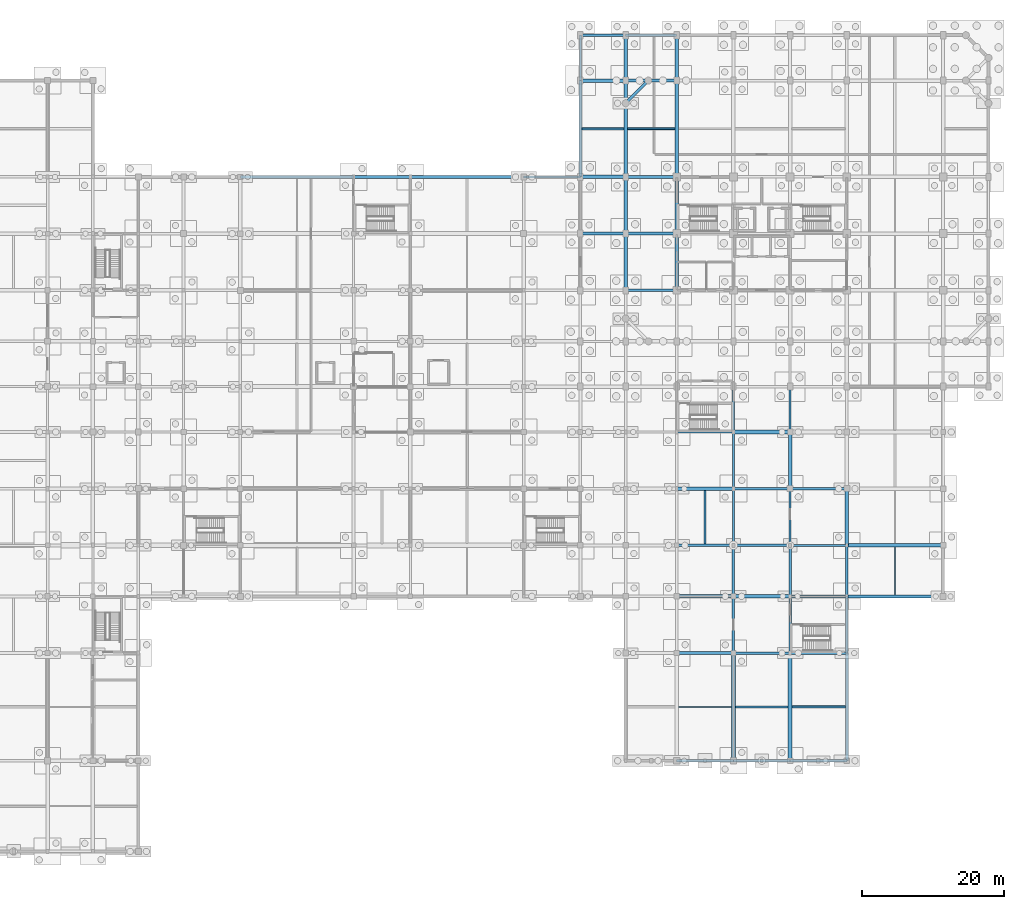
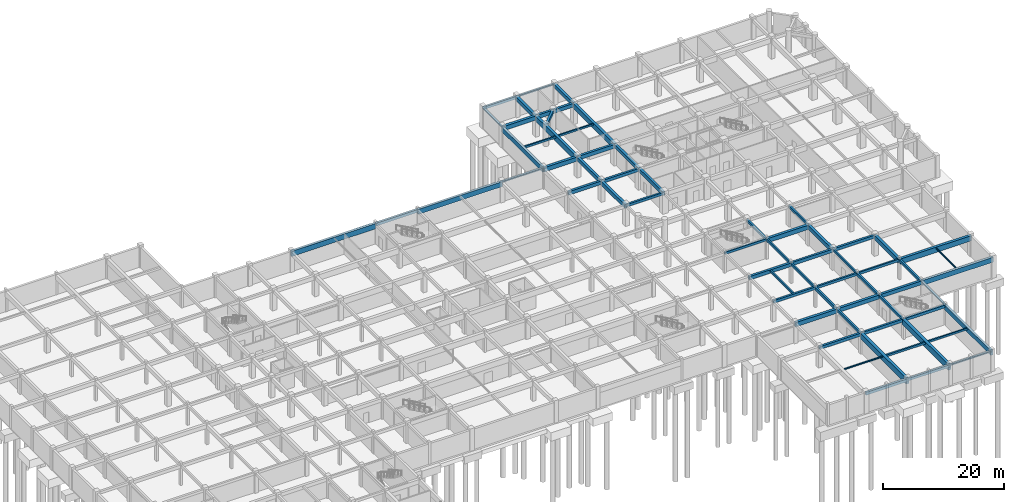
# One storey, part 14 of 28: 66 beams.
"""IFC4 building model written with IfcOpenShell, lengths in metres."""

from ifc_helpers import new_model, si_unit, direction, frame, origin, origin_2d, place, context, subcontext, project, spatial, rectangle, i_section, extrude, material, material_profile, profile_set, type_object, element, save


model = new_model("IFC4")

# Units and contexts
model_context = context("Model", 3, precision=1e-05, world=origin(), true_north=direction((0.0, 1.0)))
body_context = subcontext(model_context, "Body", "Model", "MODEL_VIEW")
ifc_project = project(units=[si_unit("LENGTHUNIT", "METRE"), si_unit("AREAUNIT", "SQUARE_METRE"), si_unit("VOLUMEUNIT", "CUBIC_METRE"), si_unit("PLANEANGLEUNIT", "RADIAN"), si_unit("MASSUNIT", "GRAM", prefix="KILO")], contexts=[model_context])

# Site, building, storey
site_placement = place(None, origin())
site = spatial("IfcSite", under=ifc_project, at=site_placement, CompositionType="ELEMENT")
building_placement = place(site_placement, origin())
building = spatial("IfcBuilding", under=site, at=building_placement, Name="Vellmiral Cinema and Media Centre", CompositionType="ELEMENT")
storey_placement = place(building_placement, frame((0.0, 0.0, -4.5)))
storey = spatial("IfcBuildingStorey", under=building, at=storey_placement, Name="B1", CompositionType="ELEMENT", Elevation=-4.5)

# Beams
ifc_material_1 = material(Name="Concrete C40/50", Category="concrete")
ifc_material_profile_1 = material_profile(ifc_material_1, rectangle(XDim=0.300048828125, YDim=0.449951171875, at=origin_2d()), Name="RC 300x450")
ifc_profile_set_1 = profile_set([ifc_material_profile_1], Name="Concrete C40/50")
beam_type_1 = type_object("IfcBeamType", Name="BM-RC-300x450", PredefinedType="BEAM", material=ifc_profile_set_1)
for number, where, z_axis, x_axis, name in (
    (1, (124.0, 59.199951171875, 3.85009765625), (1.0, 0.0, 0.0), (0.0, 1.0, 0.0), "Grid Beam B1-X094"),
    (2, (132.0, 51.199951171875, 3.85009765625), (0.0, 1.0, 0.0), (-1.0, 0.0, 0.0), "Grid Beam B1-Y369"),
    (3, (140.0, 43.199951171875, 3.85009765625), (0.0, 1.0, 0.0), (-1.0, 0.0, 0.0), "Grid Beam B1-Y380"),
):
    element("IfcBeam", number, at=place(storey_placement, frame(where, z_axis=z_axis, x_axis=x_axis)), inside=storey, type_object=beam_type_1, Name=name, PredefinedType="BEAM", context=body_context, shape_type="SweptSolid", body=[
        extrude(rectangle(XDim=0.300048828125, YDim=0.449951171875, at=origin_2d()), origin(), (0.0, 0.0, 1.0), 8.0),
    ])
ifc_material_2 = material(Name="Concrete C40/50", Category="concrete")
ifc_material_profile_2 = material_profile(ifc_material_2, rectangle(XDim=0.300048828125, YDim=0.5, at=origin_2d()), Name="RC 300x500")
ifc_profile_set_2 = profile_set([ifc_material_profile_2], Name="Concrete C40/50")
beam_type_2 = type_object("IfcBeamType", Name="BM-RC-300x500", PredefinedType="BEAM", material=ifc_profile_set_2)
for number, where, z_axis, x_axis, name in (
    (4, (140.0, 43.199951171875, 3.824951171875), (1.0, 0.0, 0.0), (0.0, 1.0, 0.0), "Grid Beam B1-X060"),
    (5, (132.0, 43.199951171875, 3.824951171875), (0.0, 1.0, 0.0), (-1.0, 0.0, 0.0), "Grid Beam B1-Y368"),
):
    element("IfcBeam", number, at=place(storey_placement, frame(where, z_axis=z_axis, x_axis=x_axis)), inside=storey, type_object=beam_type_2, Name=name, PredefinedType="BEAM", context=body_context, shape_type="SweptSolid", body=[
        extrude(rectangle(XDim=0.300048828125, YDim=0.5, at=origin_2d()), origin(), (0.0, 0.0, 1.0), 8.0),
    ])
beam_1_placement = place(storey_placement, frame((140.0, 59.199951171875, 3.824951171875), z_axis=(0.0, 1.0, 0.0), x_axis=(-1.0, 0.0, 0.0)))
element("IfcBeam", 6, at=beam_1_placement, inside=storey, type_object=beam_type_2, Name="Grid Beam B1-Y382", PredefinedType="BEAM", context=body_context, shape_type="SweptSolid", body=[
    extrude(rectangle(XDim=0.300048828125, YDim=0.5, at=origin_2d()), origin(), (0.0, 0.0, 1.0), 6.400146484375),
])
ifc_material_3 = material(Name="Concrete C40/50", Category="concrete")
ifc_material_profile_3 = material_profile(ifc_material_3, rectangle(XDim=0.35009765625, YDim=0.5, at=origin_2d()), Name="RC 350x500")
ifc_profile_set_3 = profile_set([ifc_material_profile_3], Name="Concrete C40/50")
beam_type_3 = type_object("IfcBeamType", Name="BM-RC-350x500", PredefinedType="BEAM", material=ifc_profile_set_3)
beam_2_placement = place(storey_placement, frame((132.0, 43.199951171875, 3.824951171875), z_axis=(1.0, 0.0, 0.0), x_axis=(0.0, 1.0, 0.0)))
element("IfcBeam", 7, at=beam_2_placement, inside=storey, type_object=beam_type_3, Name="Grid Beam B1-X059", PredefinedType="BEAM", context=body_context, shape_type="SweptSolid", body=[
    extrude(rectangle(XDim=0.35009765625, YDim=0.5, at=origin_2d()), origin(), (0.0, 0.0, 1.0), 8.0),
])
beam_3_placement = place(storey_placement, frame((116.800048828125, 79.199951171875, 3.824951171875), z_axis=(1.0, 0.0, 0.0), x_axis=(0.0, 1.0, 0.0)))
element("IfcBeam", 8, at=beam_3_placement, inside=storey, type_object=beam_type_3, Name="Grid Beam B1-X149", PredefinedType="BEAM", context=body_context, shape_type="SweptSolid", body=[
    extrude(rectangle(XDim=0.35009765625, YDim=0.5, at=origin_2d()), origin(), (0.0, 0.0, 1.0), 7.199951171875),
])
beam_4_placement = place(storey_placement, frame((132.0, 59.199951171875, 3.824951171875), z_axis=(0.0, 1.0, 0.0), x_axis=(-1.0, 0.0, 0.0)))
element("IfcBeam", 9, at=beam_4_placement, inside=storey, type_object=beam_type_3, Name="Grid Beam B1-Y370", PredefinedType="BEAM", context=body_context, shape_type="SweptSolid", body=[
    extrude(rectangle(XDim=0.35009765625, YDim=0.5, at=origin_2d()), origin(), (0.0, 0.0, 1.0), 6.400146484375),
])
beam_5_placement = place(storey_placement, frame((140.0, 28.0, 3.824951171875), z_axis=(0.0, 1.0, 0.0), x_axis=(-1.0, 0.0, 0.0)))
element("IfcBeam", 10, at=beam_5_placement, inside=storey, type_object=beam_type_3, Name="Grid Beam B1-Y378", PredefinedType="BEAM", context=body_context, shape_type="SweptSolid", body=[
    extrude(rectangle(XDim=0.35009765625, YDim=0.5, at=origin_2d()), origin(), (0.0, 0.0, 1.0), 8.0),
])
beam_6_placement = place(storey_placement, frame((148.0, 36.0, 3.824951171875), z_axis=(0.0, 1.0, 0.0), x_axis=(-1.0, 0.0, 0.0)))
element("IfcBeam", 11, at=beam_6_placement, inside=storey, type_object=beam_type_3, Name="Grid Beam B1-Y391", PredefinedType="BEAM", context=body_context, shape_type="SweptSolid", body=[
    extrude(rectangle(XDim=0.35009765625, YDim=0.5, at=origin_2d()), origin(), (0.0, 0.0, 1.0), 7.199951171875),
])
ifc_material_4 = material(Name="Concrete C40/50", Category="concrete")
ifc_material_profile_4 = material_profile(ifc_material_4, rectangle(XDim=0.35009765625, YDim=0.550048828125, at=origin_2d()), Name="RC 350x550")
ifc_profile_set_4 = profile_set([ifc_material_profile_4], Name="Concrete C40/50")
beam_type_4 = type_object("IfcBeamType", Name="BM-RC-350x550", PredefinedType="BEAM", material=ifc_profile_set_4)
for number, where, z_axis, x_axis, name in (
    (12, (140.0, 28.0, 3.800048828125), (1.0, 0.0, 0.0), (0.0, 1.0, 0.0), "Grid Beam B1-X025"),
    (13, (124.0, 43.199951171875, 3.800048828125), (1.0, 0.0, 0.0), (0.0, 1.0, 0.0), "Grid Beam B1-X058"),
    (14, (132.0, 28.0, 3.800048828125), (0.0, 1.0, 0.0), (-1.0, 0.0, 0.0), "Grid Beam B1-Y366"),
):
    element("IfcBeam", number, at=place(storey_placement, frame(where, z_axis=z_axis, x_axis=x_axis)), inside=storey, type_object=beam_type_4, Name=name, PredefinedType="BEAM", context=body_context, shape_type="SweptSolid", body=[
        extrude(rectangle(XDim=0.35009765625, YDim=0.550048828125, at=origin_2d()), origin(), (0.0, 0.0, 1.0), 8.0),
    ])
beam_7_placement = place(storey_placement, frame((140.0, 36.0, 3.800048828125), z_axis=(0.0, 1.0, 0.0), x_axis=(-1.0, 0.0, 0.0)))
element("IfcBeam", 15, at=beam_7_placement, inside=storey, type_object=beam_type_4, Name="Grid Beam B1-Y379", PredefinedType="BEAM", context=body_context, shape_type="SweptSolid", body=[
    extrude(rectangle(XDim=0.35009765625, YDim=0.550048828125, at=origin_2d()), origin(), (0.0, 0.0, 1.0), 7.199951171875),
])
ifc_material_5 = material(Name="Concrete C40/50", Category="concrete")
ifc_material_profile_5 = material_profile(ifc_material_5, rectangle(XDim=0.35009765625, YDim=0.60009765625, at=origin_2d()), Name="RC 350x600")
ifc_profile_set_5 = profile_set([ifc_material_profile_5], Name="Concrete C40/50")
beam_type_5 = type_object("IfcBeamType", Name="BM-RC-350x600", PredefinedType="BEAM", material=ifc_profile_set_5)
beam_8_placement = place(storey_placement, frame((132.0, 28.0, 3.77490234375), z_axis=(1.0, 0.0, 0.0), x_axis=(0.0, 1.0, 0.0)))
element("IfcBeam", 16, at=beam_8_placement, inside=storey, type_object=beam_type_5, Name="Grid Beam B1-X024", PredefinedType="BEAM", context=body_context, shape_type="SweptSolid", body=[
    extrude(rectangle(XDim=0.35009765625, YDim=0.60009765625, at=origin_2d()), origin(), (0.0, 0.0, 1.0), 8.0),
])
beam_9_placement = place(storey_placement, frame((132.0, 36.0, 3.77490234375), z_axis=(0.0, 1.0, 0.0), x_axis=(-1.0, 0.0, 0.0)))
element("IfcBeam", 17, at=beam_9_placement, inside=storey, type_object=beam_type_5, Name="Grid Beam B1-Y367", PredefinedType="BEAM", context=body_context, shape_type="SweptSolid", body=[
    extrude(rectangle(XDim=0.35009765625, YDim=0.60009765625, at=origin_2d()), origin(), (0.0, 0.0, 1.0), 7.199951171875),
])
ifc_material_6 = material(Name="Concrete C40/50", Category="concrete")
ifc_material_profile_6 = material_profile(ifc_material_6, rectangle(XDim=0.39990234375, YDim=0.60009765625, at=origin_2d()), Name="RC 400x600")
ifc_profile_set_6 = profile_set([ifc_material_profile_6], Name="Concrete C40/50")
beam_type_6 = type_object("IfcBeamType", Name="BM-RC-400x600", PredefinedType="BEAM", material=ifc_profile_set_6)
for number, where, z_axis, x_axis, name in (
    (18, (124.0, 28.0, 3.77490234375), (1.0, 0.0, 0.0), (0.0, 1.0, 0.0), "Grid Beam B1-X023"),
    (19, (140.0, 51.199951171875, 3.77490234375), (1.0, 0.0, 0.0), (0.0, 1.0, 0.0), "Grid Beam B1-X078"),
):
    element("IfcBeam", number, at=place(storey_placement, frame(where, z_axis=z_axis, x_axis=x_axis)), inside=storey, type_object=beam_type_6, Name=name, PredefinedType="BEAM", context=body_context, shape_type="SweptSolid", body=[
        extrude(rectangle(XDim=0.39990234375, YDim=0.60009765625, at=origin_2d()), origin(), (0.0, 0.0, 1.0), 8.0),
    ])
beam_10_placement = place(storey_placement, frame((116.800048828125, 87.199951171875, 3.77490234375), z_axis=(1.0, 0.0, 0.0), x_axis=(0.0, 1.0, 0.0)))
element("IfcBeam", 20, at=beam_10_placement, inside=storey, type_object=beam_type_6, Name="Grid Beam B1-X168", PredefinedType="BEAM", context=body_context, shape_type="SweptSolid", body=[
    extrude(rectangle(XDim=0.39990234375, YDim=0.60009765625, at=origin_2d()), origin(), (0.0, 0.0, 1.0), 7.199951171875),
])
ifc_material_7 = material(Name="Concrete C40/50", Category="concrete")
ifc_material_profile_7 = material_profile(ifc_material_7, rectangle(XDim=0.39990234375, YDim=0.64990234375, at=origin_2d()), Name="RC 400x650")
ifc_profile_set_7 = profile_set([ifc_material_profile_7], Name="Concrete C40/50")
beam_type_7 = type_object("IfcBeamType", Name="BM-RC-400x650", PredefinedType="BEAM", material=ifc_profile_set_7)
beam_11_placement = place(storey_placement, frame((132.0, 51.199951171875, 3.75), z_axis=(1.0, 0.0, 0.0), x_axis=(0.0, 1.0, 0.0)))
element("IfcBeam", 21, at=beam_11_placement, inside=storey, type_object=beam_type_7, Name="Grid Beam B1-X077", PredefinedType="BEAM", context=body_context, shape_type="SweptSolid", body=[
    extrude(rectangle(XDim=0.39990234375, YDim=0.64990234375, at=origin_2d()), origin(), (0.0, 0.0, 1.0), 8.0),
])
ifc_material_8 = material(Name="Concrete C40/50", Category="concrete")
ifc_material_profile_8 = material_profile(ifc_material_8, rectangle(XDim=0.449951171875, YDim=0.699951171875, at=origin_2d()), Name="RC 450x700")
ifc_profile_set_8 = profile_set([ifc_material_profile_8], Name="Concrete C40/50")
beam_type_8 = type_object("IfcBeamType", Name="BM-RC-450x700", PredefinedType="BEAM", material=ifc_profile_set_8)
beam_12_placement = place(storey_placement, frame((124.0, 51.199951171875, 3.72509765625), z_axis=(1.0, 0.0, 0.0), x_axis=(0.0, 1.0, 0.0)))
element("IfcBeam", 22, at=beam_12_placement, inside=storey, type_object=beam_type_8, Name="Grid Beam B1-X076", PredefinedType="BEAM", context=body_context, shape_type="SweptSolid", body=[
    extrude(rectangle(XDim=0.449951171875, YDim=0.699951171875, at=origin_2d()), origin(), (0.0, 0.0, 1.0), 8.0),
])
beam_13_placement = place(storey_placement, frame((110.39990234375, 87.199951171875, 3.72509765625), z_axis=(1.0, 0.0, 0.0), x_axis=(0.0, 1.0, 0.0)))
element("IfcBeam", 23, at=beam_13_placement, inside=storey, type_object=beam_type_8, Name="Grid Beam B1-X167", PredefinedType="BEAM", context=body_context, shape_type="SweptSolid", body=[
    extrude(rectangle(XDim=0.449951171875, YDim=0.699951171875, at=origin_2d()), origin(), (0.0, 0.0, 1.0), 6.400146484375),
])
beam_14_placement = place(storey_placement, frame((124.0, 87.199951171875, 3.72509765625), z_axis=(0.0, 1.0, 0.0), x_axis=(-1.0, 0.0, 0.0)))
element("IfcBeam", 24, at=beam_14_placement, inside=storey, type_object=beam_type_8, Name="Grid Beam B1-Y362", PredefinedType="BEAM", context=body_context, shape_type="SweptSolid", body=[
    extrude(rectangle(XDim=0.449951171875, YDim=0.699951171875, at=origin_2d()), origin(), (0.0, 0.0, 1.0), 8.0),
])
ifc_material_9 = material(Name="Concrete C40/50", Category="concrete")
ifc_material_profile_9 = material_profile(ifc_material_9, rectangle(XDim=0.449951171875, YDim=0.75, at=origin_2d()), Name="RC 450x750")
ifc_profile_set_9 = profile_set([ifc_material_profile_9], Name="Concrete C40/50")
beam_type_9 = type_object("IfcBeamType", Name="BM-RC-450x750", PredefinedType="BEAM", material=ifc_profile_set_9)
beam_15_placement = place(storey_placement, frame((140.0, 36.0, 3.699951171875), z_axis=(1.0, 0.0, 0.0), x_axis=(0.0, 1.0, 0.0)))
element("IfcBeam", 25, at=beam_15_placement, inside=storey, type_object=beam_type_9, Name="Grid Beam B1-X042", PredefinedType="BEAM", context=body_context, shape_type="SweptSolid", body=[
    extrude(rectangle(XDim=0.449951171875, YDim=0.75, at=origin_2d()), origin(), (0.0, 0.0, 1.0), 8.0),
])
for number, where, z_axis, x_axis, name in (
    (26, (116.800048828125, 95.199951171875, 3.699951171875), (1.0, 0.0, 0.0), (0.0, 1.0, 0.0), "Grid Beam B1-X187"),
    (27, (116.800048828125, 108.800048828125, 3.699951171875), (1.0, 0.0, 0.0), (0.0, 1.0, 0.0), "Grid Beam B1-X198"),
):
    element("IfcBeam", number, at=place(storey_placement, frame(where, z_axis=z_axis, x_axis=x_axis)), inside=storey, type_object=beam_type_9, Name=name, PredefinedType="BEAM", context=body_context, shape_type="SweptSolid", body=[
        extrude(rectangle(XDim=0.449951171875, YDim=0.75, at=origin_2d()), origin(), (0.0, 0.0, 1.0), 7.199951171875),
    ])
for number, where, z_axis, x_axis, name in (
    (28, (116.800048828125, 87.199951171875, 3.699951171875), (0.0, 1.0, 0.0), (-1.0, 0.0, 0.0), "Grid Beam B1-Y350"),
    (29, (124.0, 79.199951171875, 3.699951171875), (0.0, 1.0, 0.0), (-1.0, 0.0, 0.0), "Grid Beam B1-Y361"),
):
    element("IfcBeam", number, at=place(storey_placement, frame(where, z_axis=z_axis, x_axis=x_axis)), inside=storey, type_object=beam_type_9, Name=name, PredefinedType="BEAM", context=body_context, shape_type="SweptSolid", body=[
        extrude(rectangle(XDim=0.449951171875, YDim=0.75, at=origin_2d()), origin(), (0.0, 0.0, 1.0), 8.0),
    ])
beam_16_placement = place(storey_placement, frame((124.0, 108.800048828125, 3.699951171875), z_axis=(0.0, 1.0, 0.0), x_axis=(-1.0, 0.0, 0.0)))
element("IfcBeam", 30, at=beam_16_placement, inside=storey, type_object=beam_type_9, Name="Grid Beam B1-Y364", PredefinedType="BEAM", context=body_context, shape_type="SweptSolid", body=[
    extrude(rectangle(XDim=0.449951171875, YDim=0.75, at=origin_2d()), origin(), (0.0, 0.0, 1.0), 6.39990234375),
])
ifc_material_10 = material(Name="Concrete C40/50", Category="concrete")
ifc_material_profile_10 = material_profile(ifc_material_10, rectangle(XDim=0.5, YDim=0.800048828125, at=origin_2d()), Name="RC 500x800")
ifc_profile_set_10 = profile_set([ifc_material_profile_10], Name="Concrete C40/50")
beam_type_10 = type_object("IfcBeamType", Name="BM-RC-500x800", PredefinedType="BEAM", material=ifc_profile_set_10)
for number, where, z_axis, x_axis, name in (
    (31, (132.0, 36.0, 3.675048828125), (1.0, 0.0, 0.0), (0.0, 1.0, 0.0), "Grid Beam B1-X041"),
    (32, (116.800048828125, 79.199951171875, 3.675048828125), (0.0, 1.0, 0.0), (-1.0, 0.0, 0.0), "Grid Beam B1-Y349"),
):
    element("IfcBeam", number, at=place(storey_placement, frame(where, z_axis=z_axis, x_axis=x_axis)), inside=storey, type_object=beam_type_10, Name=name, PredefinedType="BEAM", context=body_context, shape_type="SweptSolid", body=[
        extrude(rectangle(XDim=0.5, YDim=0.800048828125, at=origin_2d()), origin(), (0.0, 0.0, 1.0), 8.0),
    ])
beam_17_placement = place(storey_placement, frame((116.800048828125, 108.800048828125, 3.675048828125), z_axis=(0.0, 1.0, 0.0), x_axis=(-1.0, 0.0, 0.0)))
element("IfcBeam", 33, at=beam_17_placement, inside=storey, type_object=beam_type_10, Name="Grid Beam B1-Y352", PredefinedType="BEAM", context=body_context, shape_type="SweptSolid", body=[
    extrude(rectangle(XDim=0.5, YDim=0.800048828125, at=origin_2d()), origin(), (0.0, 0.0, 1.0), 6.39990234375),
])
ifc_material_11 = material(Name="Concrete C40/50", Category="concrete")
ifc_material_profile_11 = material_profile(ifc_material_11, rectangle(XDim=0.5, YDim=0.85009765625, at=origin_2d()), Name="RC 500x850")
ifc_profile_set_11 = profile_set([ifc_material_profile_11], Name="Concrete C40/50")
beam_type_11 = type_object("IfcBeamType", Name="BM-RC-500x850", PredefinedType="BEAM", material=ifc_profile_set_11)
for number, where, z_axis, x_axis, name in (
    (34, (124.0, 36.0, 3.64990234375), (1.0, 0.0, 0.0), (0.0, 1.0, 0.0), "Grid Beam B1-X040"),
    (35, (132.0, 59.199951171875, 3.64990234375), (1.0, 0.0, 0.0), (0.0, 1.0, 0.0), "Grid Beam B1-X095"),
):
    element("IfcBeam", number, at=place(storey_placement, frame(where, z_axis=z_axis, x_axis=x_axis)), inside=storey, type_object=beam_type_11, Name=name, PredefinedType="BEAM", context=body_context, shape_type="SweptSolid", body=[
        extrude(rectangle(XDim=0.5, YDim=0.85009765625, at=origin_2d()), origin(), (0.0, 0.0, 1.0), 8.0),
    ])
for number, where, z_axis, x_axis, name in (
    (36, (110.39990234375, 95.199951171875, 3.64990234375), (1.0, 0.0, 0.0), (0.0, 1.0, 0.0), "Grid Beam B1-X186"),
    (37, (110.39990234375, 108.800048828125, 3.64990234375), (1.0, 0.0, 0.0), (0.0, 1.0, 0.0), "Grid Beam B1-X197"),
):
    element("IfcBeam", number, at=place(storey_placement, frame(where, z_axis=z_axis, x_axis=x_axis)), inside=storey, type_object=beam_type_11, Name=name, PredefinedType="BEAM", context=body_context, shape_type="SweptSolid", body=[
        extrude(rectangle(XDim=0.5, YDim=0.85009765625, at=origin_2d()), origin(), (0.0, 0.0, 1.0), 6.400146484375),
    ])
for number, where, z_axis, x_axis, name in (
    (38, (140.0, 51.199951171875, 3.64990234375), (0.0, 1.0, 0.0), (-1.0, 0.0, 0.0), "Grid Beam B1-Y381"),
    (39, (148.0, 43.199951171875, 3.64990234375), (0.0, 1.0, 0.0), (-1.0, 0.0, 0.0), "Grid Beam B1-Y392"),
):
    element("IfcBeam", number, at=place(storey_placement, frame(where, z_axis=z_axis, x_axis=x_axis)), inside=storey, type_object=beam_type_11, Name=name, PredefinedType="BEAM", context=body_context, shape_type="SweptSolid", body=[
        extrude(rectangle(XDim=0.5, YDim=0.85009765625, at=origin_2d()), origin(), (0.0, 0.0, 1.0), 8.0),
    ])
ifc_material_12 = material(Name="Concrete C40/50", Category="concrete")
ifc_material_profile_12 = material_profile(ifc_material_12, rectangle(XDim=0.5, YDim=1.050048828125, at=origin_2d()), Name="RC 500x1050")
ifc_profile_set_12 = profile_set([ifc_material_profile_12], Name="Concrete C40/50")
beam_type_12 = type_object("IfcBeamType", Name="BM-RCG-500x1050", PredefinedType="BEAM", material=ifc_profile_set_12)
for number, where, z_axis, x_axis, name in (
    (40, (148.0, 43.199951171875, 3.550048828125), (1.0, 0.0, 0.0), (0.0, 1.0, 0.0), "Grid Beam B1-X061"),
    (41, (116.800048828125, 95.199951171875, 3.550048828125), (0.0, 1.0, 0.0), (-1.0, 0.0, 0.0), "Grid Beam B1-Y351"),
    (42, (124.0, 95.199951171875, 3.550048828125), (0.0, 1.0, 0.0), (-1.0, 0.0, 0.0), "Grid Beam B1-Y363"),
):
    element("IfcBeam", number, at=place(storey_placement, frame(where, z_axis=z_axis, x_axis=x_axis)), inside=storey, type_object=beam_type_12, Name=name, PredefinedType="BEAM", context=body_context, shape_type="SweptSolid", body=[
        extrude(rectangle(XDim=0.5, YDim=1.050048828125, at=origin_2d()), origin(), (0.0, 0.0, 1.0), 13.60009765625),
    ])
ifc_material_13 = material(Name="Concrete C40/50", Category="concrete")
ifc_material_profile_13 = material_profile(ifc_material_13, rectangle(XDim=0.550048828125, YDim=1.14990234375, at=origin_2d()), Name="RC 550x1150")
ifc_profile_set_13 = profile_set([ifc_material_profile_13], Name="Concrete C40/50")
beam_type_13 = type_object("IfcBeamType", Name="BM-RCG-550x1150", PredefinedType="BEAM", material=ifc_profile_set_13)
for number, where, z_axis, x_axis, name in (
    (43, (132.0, 12.800048828125, 3.5), (0.0, 1.0, 0.0), (-1.0, 0.0, 0.0), "Grid Beam B1-Y365"),
    (44, (140.0, 12.800048828125, 3.5), (0.0, 1.0, 0.0), (-1.0, 0.0, 0.0), "Grid Beam B1-Y377"),
):
    element("IfcBeam", number, at=place(storey_placement, frame(where, z_axis=z_axis, x_axis=x_axis)), inside=storey, type_object=beam_type_13, Name=name, PredefinedType="BEAM", context=body_context, shape_type="SweptSolid", body=[
        extrude(rectangle(XDim=0.550048828125, YDim=1.14990234375, at=origin_2d()), origin(), (0.0, 0.0, 1.0), 15.199951171875),
    ])
ifc_material_14 = material(Name="Concrete C40/50", Category="concrete")
ifc_material_profile_14 = material_profile(ifc_material_14, rectangle(XDim=0.25, YDim=0.35009765625, at=origin_2d()), Name="RC 250x350")
ifc_profile_set_14 = profile_set([ifc_material_profile_14], Name="Concrete C40/50")
beam_type_14 = type_object("IfcBeamType", Name="JST-RC-250x350", PredefinedType="JOIST", material=ifc_profile_set_14)
beam_18_placement = place(storey_placement, frame((117.050048828125, 102.0, 3.89990234375), z_axis=(1.0, 0.0, 0.0), x_axis=(0.0, 1.0, 0.0)))
element("IfcBeam", 45, at=beam_18_placement, inside=storey, type_object=beam_type_14, Name="Secondary Floor Joist B1-034", PredefinedType="JOIST", context=body_context, shape_type="SweptSolid", body=[
    extrude(rectangle(XDim=0.25, YDim=0.35009765625, at=origin_2d()), origin(), (0.0, 0.0, 1.0), 6.699951171875),
])
ifc_material_15 = material(Name="Concrete C40/50", Category="concrete")
ifc_material_profile_15 = material_profile(ifc_material_15, rectangle(XDim=0.260009765625, YDim=0.3798828125, at=origin_2d()), Name="RC 260x380")
ifc_profile_set_15 = profile_set([ifc_material_profile_15], Name="Concrete C40/50")
beam_type_15 = type_object("IfcBeamType", Name="JST-RC-260x380", PredefinedType="JOIST", material=ifc_profile_set_15)
beam_19_placement = place(storey_placement, frame((140.27490234375, 20.39990234375, 3.885009765625), z_axis=(1.0, 0.0, 0.0), x_axis=(0.0, 1.0, 0.0)))
element("IfcBeam", 46, at=beam_19_placement, inside=storey, type_object=beam_type_15, Name="Secondary Floor Joist B1-039", PredefinedType="JOIST", context=body_context, shape_type="SweptSolid", body=[
    extrude(rectangle(XDim=0.260009765625, YDim=0.3798828125, at=origin_2d()), origin(), (0.0, 0.0, 1.0), 7.51513671875),
])
ifc_material_16 = material(Name="Concrete C40/50", Category="concrete")
ifc_material_profile_16 = material_profile(ifc_material_16, rectangle(XDim=0.280029296875, YDim=0.39990234375, at=origin_2d()), Name="RC 280x400")
ifc_profile_set_16 = profile_set([ifc_material_profile_16], Name="Concrete C40/50")
beam_type_16 = type_object("IfcBeamType", Name="JST-RC-280x400", PredefinedType="JOIST", material=ifc_profile_set_16)
beam_20_placement = place(storey_placement, frame((110.610107421875, 102.0, 3.875), z_axis=(1.0, 0.0, 0.0), x_axis=(0.0, 1.0, 0.0)))
element("IfcBeam", 47, at=beam_20_placement, inside=storey, type_object=beam_type_16, Name="Secondary Floor Joist B1-032", PredefinedType="JOIST", context=body_context, shape_type="SweptSolid", body=[
    extrude(rectangle(XDim=0.280029296875, YDim=0.39990234375, at=origin_2d()), origin(), (0.0, 0.0, 1.0), 5.93994140625),
])
ifc_material_17 = material(Name="Concrete C40/50", Category="concrete")
ifc_material_profile_17 = material_profile(ifc_material_17, rectangle(XDim=0.300048828125, YDim=0.419921875, at=origin_2d()), Name="RC 300x420")
ifc_profile_set_17 = profile_set([ifc_material_profile_17], Name="Concrete C40/50")
beam_type_17 = type_object("IfcBeamType", Name="JST-RC-300x420", PredefinedType="JOIST", material=ifc_profile_set_17)
beam_21_placement = place(storey_placement, frame((132.27490234375, 20.39990234375, 3.864990234375), z_axis=(1.0, 0.0, 0.0), x_axis=(0.0, 1.0, 0.0)))
element("IfcBeam", 48, at=beam_21_placement, inside=storey, type_object=beam_type_17, Name="Secondary Floor Joist B1-037", PredefinedType="JOIST", context=body_context, shape_type="SweptSolid", body=[
    extrude(rectangle(XDim=0.300048828125, YDim=0.419921875, at=origin_2d()), origin(), (0.0, 0.0, 1.0), 7.4501953125),
])
beam_22_placement = place(storey_placement, frame((128.0, 43.375, 3.864990234375), z_axis=(0.0, 1.0, 0.0), x_axis=(-1.0, 0.0, 0.0)))
element("IfcBeam", 49, at=beam_22_placement, inside=storey, type_object=beam_type_17, Name="Platform Sub-Bay Floor Joist B1-07", PredefinedType="JOIST", context=body_context, shape_type="SweptSolid", body=[
    extrude(rectangle(XDim=0.300048828125, YDim=0.419921875, at=origin_2d()), origin(), (0.0, 0.0, 1.0), 7.60009765625),
])
ifc_material_18 = material(Name="Steel S355", Category="steel")
ifc_material_profile_18 = material_profile(ifc_material_18, i_section(OverallWidth=0.300048828125, OverallDepth=0.300048828125, WebThickness=0.010986328125, FlangeThickness=0.01904296875, FilletRadius=0.027099609375, at=origin_2d()), Name="HEB 300")
ifc_profile_set_18 = profile_set([ifc_material_profile_18], Name="Steel S355")
beam_type_18 = type_object("IfcBeamType", Name="SBM-HEB300", PredefinedType="SPANDREL", material=ifc_profile_set_18)
for number, where, z_axis, x_axis, name in (
    (50, (140.0, 12.800048828125, 3.925048828125), (1.0, 0.0, 0.0), (0.0, 1.0, 0.0), "Grid Beam B1-X015"),
    (51, (102.39990234375, 95.199951171875, 3.925048828125), (1.0, 0.0, 0.0), (0.0, 1.0, 0.0), "Grid Beam B1-X185"),
):
    element("IfcBeam", number, at=place(storey_placement, frame(where, z_axis=z_axis, x_axis=x_axis)), inside=storey, type_object=beam_type_18, Name=name, PredefinedType="SPANDREL", context=body_context, shape_type="SweptSolid", body=[
        extrude(i_section(OverallWidth=0.300048828125, OverallDepth=0.300048828125, WebThickness=0.010986328125, FlangeThickness=0.01904296875, FilletRadius=0.027099609375, at=origin_2d()), origin(), (0.0, 0.0, 1.0), 8.0),
    ])
beam_23_placement = place(storey_placement, frame((116.800048828125, 115.199951171875, 3.925048828125), z_axis=(1.0, 0.0, 0.0), x_axis=(0.0, 1.0, 0.0)))
element("IfcBeam", 52, at=beam_23_placement, inside=storey, type_object=beam_type_18, Name="Grid Beam B1-X205", PredefinedType="SPANDREL", context=body_context, shape_type="SweptSolid", body=[
    extrude(i_section(OverallWidth=0.300048828125, OverallDepth=0.300048828125, WebThickness=0.010986328125, FlangeThickness=0.01904296875, FilletRadius=0.027099609375, at=origin_2d()), origin(), (0.0, 0.0, 1.0), 7.199951171875),
])
beam_24_placement = place(storey_placement, frame((110.39990234375, 108.800048828125, 3.925048828125), z_axis=(0.0, 1.0, 0.0), x_axis=(-1.0, 0.0, 0.0)))
element("IfcBeam", 53, at=beam_24_placement, inside=storey, type_object=beam_type_18, Name="Grid Beam B1-Y340", PredefinedType="SPANDREL", context=body_context, shape_type="SweptSolid", body=[
    extrude(i_section(OverallWidth=0.300048828125, OverallDepth=0.300048828125, WebThickness=0.010986328125, FlangeThickness=0.01904296875, FilletRadius=0.027099609375, at=origin_2d()), origin(), (0.0, 0.0, 1.0), 6.39990234375),
])
beam_25_placement = place(storey_placement, frame((148.0, 28.0, 3.925048828125), z_axis=(0.0, 1.0, 0.0), x_axis=(-1.0, 0.0, 0.0)))
element("IfcBeam", 54, at=beam_25_placement, inside=storey, type_object=beam_type_18, Name="Grid Beam B1-Y390", PredefinedType="SPANDREL", context=body_context, shape_type="SweptSolid", body=[
    extrude(i_section(OverallWidth=0.300048828125, OverallDepth=0.300048828125, WebThickness=0.010986328125, FlangeThickness=0.01904296875, FilletRadius=0.027099609375, at=origin_2d()), origin(), (0.0, 0.0, 1.0), 8.0),
])
ifc_material_19 = material(Name="Steel S355", Category="steel")
ifc_material_profile_19 = material_profile(ifc_material_19, i_section(OverallWidth=0.14990234375, OverallDepth=0.300048828125, WebThickness=0.007080078125, FlangeThickness=0.0107421875, FilletRadius=0.014892578125, at=origin_2d()), Name="IPE 300")
ifc_profile_set_19 = profile_set([ifc_material_profile_19], Name="Steel S355")
beam_type_19 = type_object("IfcBeamType", Name="SBM-IPE300", PredefinedType="JOIST", material=ifc_profile_set_19)
beam_26_placement = place(storey_placement, frame((124.27490234375, 20.39990234375, 3.925048828125), z_axis=(1.0, 0.0, 0.0), x_axis=(0.0, 1.0, 0.0)))
element("IfcBeam", 55, at=beam_26_placement, inside=storey, type_object=beam_type_19, Name="Secondary Floor Joist B1-035", PredefinedType="JOIST", context=body_context, shape_type="SweptSolid", body=[
    extrude(i_section(OverallWidth=0.14990234375, OverallDepth=0.300048828125, WebThickness=0.007080078125, FlangeThickness=0.0107421875, FilletRadius=0.014892578125, at=origin_2d()), origin(), (0.0, 0.0, 1.0), 7.4501953125),
])
beam_27_placement = place(storey_placement, frame((154.800048828125, 36.2099609375, 3.925048828125), z_axis=(0.0, 1.0, 0.0), x_axis=(-1.0, 0.0, 0.0)))
element("IfcBeam", 56, at=beam_27_placement, inside=storey, type_object=beam_type_19, Name="Secondary Floor Joist B1-041", PredefinedType="JOIST", context=body_context, shape_type="SweptSolid", body=[
    extrude(i_section(OverallWidth=0.14990234375, OverallDepth=0.300048828125, WebThickness=0.007080078125, FlangeThickness=0.0107421875, FilletRadius=0.014892578125, at=origin_2d()), origin(), (0.0, 0.0, 1.0), 6.739990234375),
])
ifc_material_20 = material(Name="Concrete C40/50", Category="concrete")
ifc_material_profile_20 = material_profile(ifc_material_20, rectangle(XDim=0.39990234375, YDim=0.60009765625, at=origin_2d()), Name="RC 400x600")
ifc_profile_set_20 = profile_set([ifc_material_profile_20], Name="Concrete C40/50")
beam_type_20 = type_object("IfcBeamType", Name="SPD-RC-400x600", PredefinedType="SPANDREL", material=ifc_profile_set_20)
beam_28_placement = place(storey_placement, frame((116.800048828125, 105.60009765625, 3.77490234375), z_axis=(0.707106781187, 0.707106781187, 0.0), x_axis=(-0.707106781187, 0.707106781187, 0.0)))
element("IfcBeam", 57, at=beam_28_placement, inside=storey, type_object=beam_type_20, Name="Xamfra Chamfer Spandrel Beam B1-417", PredefinedType="SPANDREL", context=body_context, shape_type="SweptSolid", body=[
    extrude(rectangle(XDim=0.39990234375, YDim=0.60009765625, at=origin_2d()), origin(), (0.0, 0.0, 1.0), 4.525390625),
])
ifc_material_21 = material(Name="Concrete C40/50", Category="concrete")
ifc_material_profile_21 = material_profile(ifc_material_21, rectangle(XDim=0.449951171875, YDim=1.050048828125, at=origin_2d()), Name="RC 450x1050")
ifc_profile_set_21 = profile_set([ifc_material_profile_21], Name="Concrete C40/50")
beam_type_21 = type_object("IfcBeamType", Name="SPD-RCG-450x1050", PredefinedType="SPANDREL", material=ifc_profile_set_21)
beam_29_placement = place(storey_placement, frame((62.39990234375, 95.199951171875, 3.550048828125), z_axis=(1.0, 0.0, 0.0), x_axis=(0.0, 1.0, 0.0)))
element("IfcBeam", 58, at=beam_29_placement, inside=storey, type_object=beam_type_21, Name="Grid Beam B1-X182", PredefinedType="SPANDREL", context=body_context, shape_type="SweptSolid", body=[
    extrude(rectangle(XDim=0.449951171875, YDim=1.050048828125, at=origin_2d()), origin(), (0.0, 0.0, 1.0), 16.0),
])
ifc_material_22 = material(Name="Vosges Red Sandstone Masonry", Category="masonry")
ifc_material_profile_22 = material_profile(ifc_material_22, rectangle(XDim=0.340087890625, YDim=0.52001953125, at=origin_2d()), Name="SAND 340x520")
ifc_profile_set_22 = profile_set([ifc_material_profile_22], Name="Vosges Red Sandstone Masonry")
beam_type_22 = type_object("IfcBeamType", Name="SPD-SAND-340x520", PredefinedType="SPANDREL", material=ifc_profile_set_22)
beam_30_placement = place(storey_placement, frame((132.0, 12.800048828125, 3.81494140625), z_axis=(1.0, 0.0, 0.0), x_axis=(0.0, 1.0, 0.0)))
element("IfcBeam", 59, at=beam_30_placement, inside=storey, type_object=beam_type_22, Name="Grid Beam B1-X014", PredefinedType="SPANDREL", context=body_context, shape_type="SweptSolid", body=[
    extrude(rectangle(XDim=0.340087890625, YDim=0.52001953125, at=origin_2d()), origin(), (0.0, 0.0, 1.0), 8.0),
])
beam_31_placement = place(storey_placement, frame((110.39990234375, 115.199951171875, 3.81494140625), z_axis=(1.0, 0.0, 0.0), x_axis=(0.0, 1.0, 0.0)))
element("IfcBeam", 60, at=beam_31_placement, inside=storey, type_object=beam_type_22, Name="Grid Beam B1-X204", PredefinedType="SPANDREL", context=body_context, shape_type="SweptSolid", body=[
    extrude(rectangle(XDim=0.340087890625, YDim=0.52001953125, at=origin_2d()), origin(), (0.0, 0.0, 1.0), 6.400146484375),
])
ifc_material_23 = material(Name="Vosges Red Sandstone Masonry", Category="masonry")
ifc_material_profile_23 = material_profile(ifc_material_23, rectangle(XDim=0.3798828125, YDim=0.580078125, at=origin_2d()), Name="SAND 380x580")
ifc_profile_set_23 = profile_set([ifc_material_profile_23], Name="Vosges Red Sandstone Masonry")
beam_type_23 = type_object("IfcBeamType", Name="SPD-SAND-380x580", PredefinedType="SPANDREL", material=ifc_profile_set_23)
for number, where, z_axis, x_axis, name in (
    (61, (124.0, 12.800048828125, 3.784912109375), (1.0, 0.0, 0.0), (0.0, 1.0, 0.0), "Grid Beam B1-X013"),
    (62, (78.39990234375, 95.199951171875, 3.784912109375), (1.0, 0.0, 0.0), (0.0, 1.0, 0.0), "Grid Beam B1-X183"),
):
    element("IfcBeam", number, at=place(storey_placement, frame(where, z_axis=z_axis, x_axis=x_axis)), inside=storey, type_object=beam_type_23, Name=name, PredefinedType="SPANDREL", context=body_context, shape_type="SweptSolid", body=[
        extrude(rectangle(XDim=0.3798828125, YDim=0.580078125, at=origin_2d()), origin(), (0.0, 0.0, 1.0), 8.0),
    ])
ifc_material_24 = material(Name="Vosges Red Sandstone Masonry", Category="masonry")
ifc_material_profile_24 = material_profile(ifc_material_24, rectangle(XDim=0.419921875, YDim=1.0, at=origin_2d()), Name="SAND 420x1000")
ifc_profile_set_24 = profile_set([ifc_material_profile_24], Name="Vosges Red Sandstone Masonry")
beam_type_24 = type_object("IfcBeamType", Name="SPD-SANDG-420x1000", PredefinedType="SPANDREL", material=ifc_profile_set_24)
beam_32_placement = place(storey_placement, frame((148.0, 36.0, 3.574951171875), z_axis=(1.0, 0.0, 0.0), x_axis=(0.0, 1.0, 0.0)))
element("IfcBeam", 63, at=beam_32_placement, inside=storey, type_object=beam_type_24, Name="Grid Beam B1-X043", PredefinedType="SPANDREL", context=body_context, shape_type="SweptSolid", body=[
    extrude(rectangle(XDim=0.419921875, YDim=1.0, at=origin_2d()), origin(), (0.0, 0.0, 1.0), 13.60009765625),
])
beam_33_placement = place(storey_placement, frame((86.39990234375, 95.199951171875, 3.574951171875), z_axis=(1.0, 0.0, 0.0), x_axis=(0.0, 1.0, 0.0)))
element("IfcBeam", 64, at=beam_33_placement, inside=storey, type_object=beam_type_24, Name="Grid Beam B1-X184", PredefinedType="SPANDREL", context=body_context, shape_type="SweptSolid", body=[
    extrude(rectangle(XDim=0.419921875, YDim=1.0, at=origin_2d()), origin(), (0.0, 0.0, 1.0), 16.0),
])
beam_34_placement = place(storey_placement, frame((110.39990234375, 95.199951171875, 3.574951171875), z_axis=(0.0, 1.0, 0.0), x_axis=(-1.0, 0.0, 0.0)))
element("IfcBeam", 65, at=beam_34_placement, inside=storey, type_object=beam_type_24, Name="Grid Beam B1-Y339", PredefinedType="SPANDREL", context=body_context, shape_type="SweptSolid", body=[
    extrude(rectangle(XDim=0.419921875, YDim=1.0, at=origin_2d()), origin(), (0.0, 0.0, 1.0), 13.60009765625),
])
beam_35_placement = place(storey_placement, frame((148.0, 12.800048828125, 3.574951171875), z_axis=(0.0, 1.0, 0.0), x_axis=(-1.0, 0.0, 0.0)))
element("IfcBeam", 66, at=beam_35_placement, inside=storey, type_object=beam_type_24, Name="Grid Beam B1-Y389", PredefinedType="SPANDREL", context=body_context, shape_type="SweptSolid", body=[
    extrude(rectangle(XDim=0.419921875, YDim=1.0, at=origin_2d()), origin(), (0.0, 0.0, 1.0), 15.199951171875),
])

save(model, "model.ifc")
